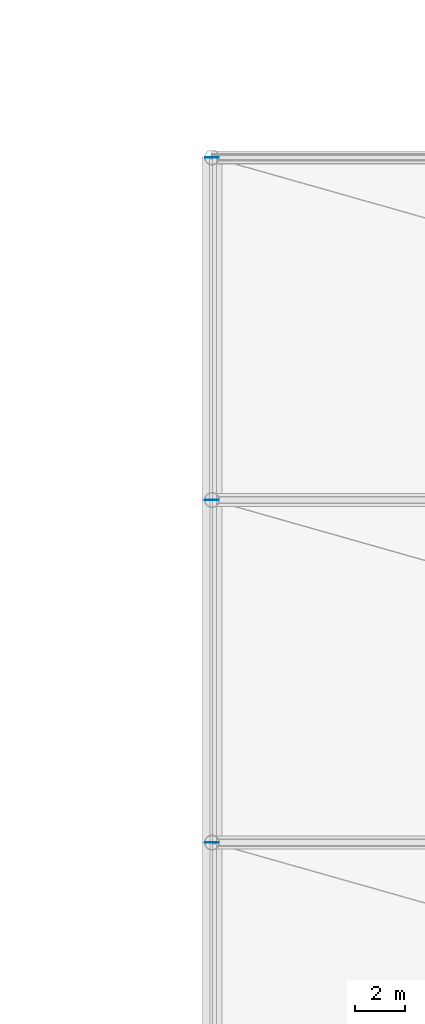
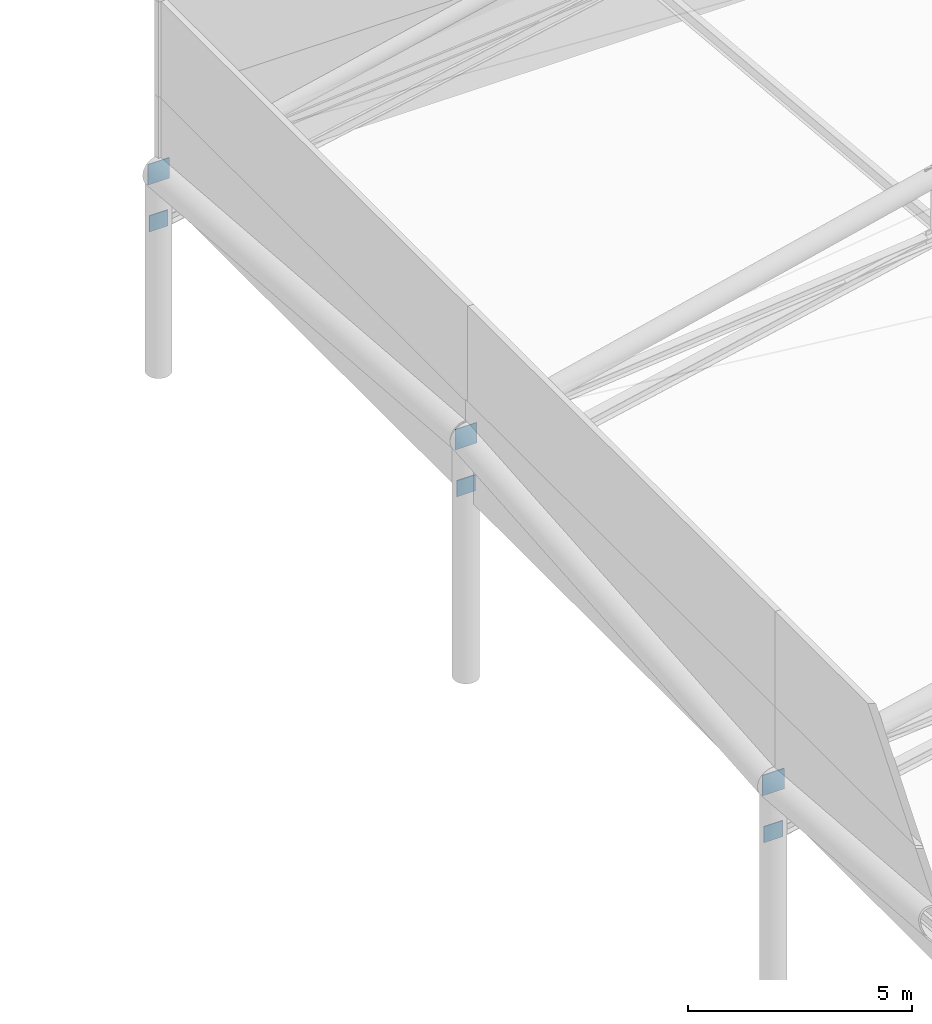
# One storey, part 83 of 113: 6 plates.
"""IFC4 building model written with IfcOpenShell, lengths in metres."""

from ifc_helpers import new_model, si_unit, direction, frame, origin, origin_2d, place, context, subcontext, project, spatial, rectangle, extrude, material, layer, layer_set, type_object, element, save


model = new_model("IFC4")

# Units and contexts
model_context = context("Model", 3, precision=1e-05, world=origin(), true_north=direction((0.0, 1.0)))
body_context = subcontext(model_context, "Body", "Model", "MODEL_VIEW")
ifc_project = project(units=[si_unit("LENGTHUNIT", "METRE"), si_unit("AREAUNIT", "SQUARE_METRE"), si_unit("VOLUMEUNIT", "CUBIC_METRE"), si_unit("PLANEANGLEUNIT", "RADIAN"), si_unit("MASSUNIT", "GRAM", prefix="KILO")], contexts=[model_context])

# Site, building, storey
site_placement = place(None, origin())
site = spatial("IfcSite", under=ifc_project, at=site_placement, CompositionType="ELEMENT")
building_placement = place(site_placement, origin())
building = spatial("IfcBuilding", under=site, at=building_placement, Name="Linyun Crest Stadium", CompositionType="ELEMENT")
storey_placement = place(building_placement, frame((0.0, 0.0, 26.39990234375)))
storey = spatial("IfcBuildingStorey", under=building, at=storey_placement, Name="L06", CompositionType="ELEMENT", Elevation=26.39990234375)

# Plates
ifc_material_1 = material(Name="Steel Q355C", Category="steel")
ifc_layer_1 = layer(ifc_material_1, 0.02001953125)
ifc_layer_set_1 = layer_set([ifc_layer_1], Name="Steel Q355C")
plate_type_1 = type_object("IfcPlateType", Name="EP01", PredefinedType="USERDEFINED", material=ifc_layer_set_1)
for number, where, z_axis, x_axis, name in (
    (1, (35.5, 15.875, 5.16796875), (0.0, 0.0, 1.0), (1.0, 0.0, 0.0), "Canopy tip tube end plate EP01 175"),
    (2, (35.5, 29.625, 6.27294921875), (0.0, 0.0, 1.0), (1.0, 0.0, 0.0), "Canopy tip tube end plate EP01 188"),
    (3, (35.5, 43.375, 5.16796875), (0.0, 0.0, 1.0), (1.0, 0.0, 0.0), "Canopy tip tube end plate EP01 201"),
):
    element("IfcPlate", number, at=place(storey_placement, frame(where, z_axis=z_axis, x_axis=x_axis)), inside=storey, type_object=plate_type_1, Name=name, ObjectType="END PLATE", PredefinedType="USERDEFINED", context=body_context, shape_type="SweptSolid", body=[
        extrude(rectangle(XDim=0.56005859375, YDim=0.02001953125, at=origin_2d()), origin(), (0.0, 0.0, 1.0), 0.56005859375),
    ])
ifc_material_2 = material(Name="Steel Q355C", Category="steel")
ifc_layer_2 = layer(ifc_material_2, 0.02392578125)
ifc_layer_set_2 = layer_set([ifc_layer_2], Name="Steel Q355C")
plate_type_2 = type_object("IfcPlateType", Name="NP01", PredefinedType="USERDEFINED", material=ifc_layer_set_2)
for number, where, z_axis, x_axis, name in (
    (4, (35.5, 15.875, 3.876220703125), (0.0, 0.0, 1.0), (1.0, 0.0, 0.0), "Roof bottom-chord node gusset plate NP01 181"),
    (5, (35.5, 29.625, 4.981201171875), (0.0, 0.0, 1.0), (1.0, 0.0, 0.0), "Roof bottom-chord node gusset plate NP01 194"),
    (6, (35.5, 43.375, 3.876220703125), (0.0, 0.0, 1.0), (1.0, 0.0, 0.0), "Roof bottom-chord node gusset plate NP01 207"),
):
    element("IfcPlate", number, at=place(storey_placement, frame(where, z_axis=z_axis, x_axis=x_axis)), inside=storey, type_object=plate_type_2, Name=name, ObjectType="GUSSET PLATE", PredefinedType="USERDEFINED", context=body_context, shape_type="SweptSolid", body=[
        extrude(rectangle(XDim=0.47998046875, YDim=0.02392578125, at=origin_2d()), origin(), (0.0, 0.0, 1.0), 0.43994140625),
    ])

save(model, "model.ifc")
